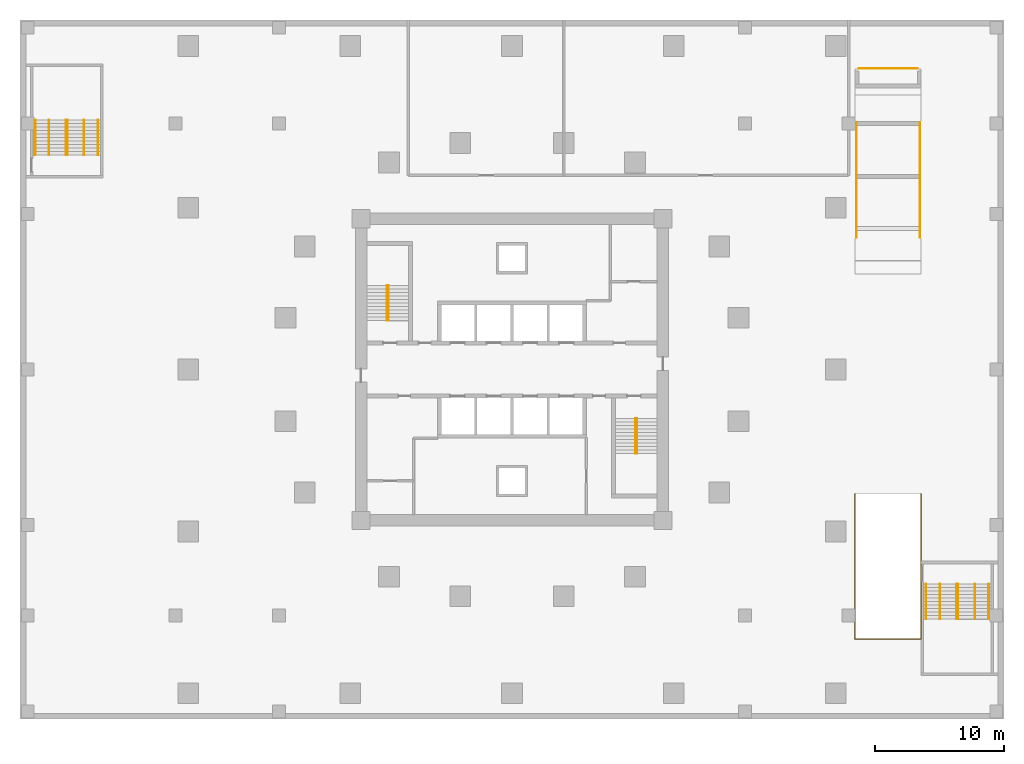
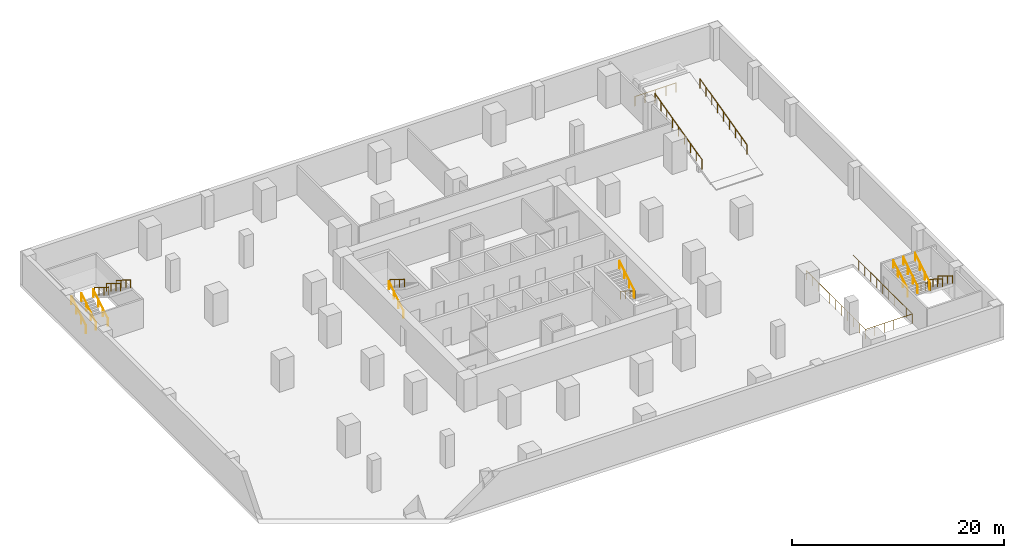
# One storey, part 9 of 9: 20 railings, 4 elements without a shape of their own.
"""IFC4 building model written with IfcOpenShell, lengths in metres."""

from ifc_helpers import new_model, si_unit, direction, frame, origin, origin_2d, place, context, subcontext, project, spatial, circle, extrude, material, type_object, element, aggregate, save


model = new_model("IFC4")

# Units and contexts
model_context = context("Model", 3, precision=1e-05, world=origin(), true_north=direction((0.0, 1.0)))
body_context = subcontext(model_context, "Body", "Model", "MODEL_VIEW")
ifc_project = project(units=[si_unit("LENGTHUNIT", "METRE"), si_unit("AREAUNIT", "SQUARE_METRE"), si_unit("VOLUMEUNIT", "CUBIC_METRE"), si_unit("PLANEANGLEUNIT", "RADIAN"), si_unit("MASSUNIT", "GRAM", prefix="KILO")], contexts=[model_context])

# Site, building, storey
site_placement = place(None, origin())
site = spatial("IfcSite", under=ifc_project, at=site_placement, CompositionType="ELEMENT")
building_placement = place(site_placement, origin())
building = spatial("IfcBuilding", under=site, at=building_placement, Name="Torsade Residences", CompositionType="ELEMENT")
storey_placement = place(building_placement, frame((0.0, 0.0, -3.699951171875)))
storey = spatial("IfcBuildingStorey", under=building, at=storey_placement, Name="B1", CompositionType="ELEMENT", Elevation=-3.699951171875)

# Railings
ifc_material_1 = material(Name="Galvanised steel guard rail", Category="steel")
railing_type_1 = type_object("IfcRailingType", Name="RAMP OPENING GUARD 1100", PredefinedType="GUARDRAIL", material=ifc_material_1)
railing_1_placement = place(storey_placement, frame((66.5, 20.39990234375, 0.0)))
element("IfcRailing", 1, at=railing_1_placement, inside=storey, type_object=railing_type_1, Name="Ramp opening guard R1 B1", PredefinedType="GUARDRAIL", context=body_context, shape_type="SweptSolid", body=[
    extrude(circle(Radius=0.02392578125, at=origin_2d()), frame((0.0, 0.0, 1.076171875), z_axis=(0.0, -1.0, 0.0), x_axis=(1.0, 0.0, 0.0)), (0.0, 0.0, 1.0), 11.199951171875),
    extrude(circle(Radius=0.02392578125, at=origin_2d()), frame((0.0, -11.199951171875, 1.076171875), z_axis=(1.0, 0.0, 0.0), x_axis=(0.0, 1.0, 0.0)), (0.0, 0.0, 1.0), 5.10009765625),
    extrude(circle(Radius=0.02392578125, at=origin_2d()), frame((5.10009765625, -11.199951171875, 1.076171875), z_axis=(0.0, 1.0, 0.0), x_axis=(-1.0, 0.0, 0.0)), (0.0, 0.0, 1.0), 11.199951171875),
    extrude(circle(Radius=0.02099609375, at=origin_2d()), origin(), (0.0, 0.0, 1.0), 1.052001953125),
    extrude(circle(Radius=0.02099609375, at=origin_2d()), frame((0.0, -1.1201171875, 0.0)), (0.0, 0.0, 1.0), 1.052001953125),
    extrude(circle(Radius=0.02099609375, at=origin_2d()), frame((0.0, -2.239990234375, 0.0)), (0.0, 0.0, 1.0), 1.052001953125),
    extrude(circle(Radius=0.02099609375, at=origin_2d()), frame((0.0, -3.35986328125, 0.0)), (0.0, 0.0, 1.0), 1.052001953125),
    extrude(circle(Radius=0.02099609375, at=origin_2d()), frame((0.0, -4.47998046875, 0.0)), (0.0, 0.0, 1.0), 1.052001953125),
    extrude(circle(Radius=0.02099609375, at=origin_2d()), frame((0.0, -5.60009765625, 0.0)), (0.0, 0.0, 1.0), 1.052001953125),
    extrude(circle(Radius=0.02099609375, at=origin_2d()), frame((0.0, -6.719970703125, 0.0)), (0.0, 0.0, 1.0), 1.052001953125),
    extrude(circle(Radius=0.02099609375, at=origin_2d()), frame((0.0, -7.83984375, 0.0)), (0.0, 0.0, 1.0), 1.052001953125),
    extrude(circle(Radius=0.02099609375, at=origin_2d()), frame((0.0, -8.9599609375, 0.0)), (0.0, 0.0, 1.0), 1.052001953125),
    extrude(circle(Radius=0.02099609375, at=origin_2d()), frame((0.0, -10.080078125, 0.0)), (0.0, 0.0, 1.0), 1.052001953125),
    extrude(circle(Radius=0.02099609375, at=origin_2d()), frame((0.0, -11.199951171875, 0.0)), (0.0, 0.0, 1.0), 1.052001953125),
    extrude(circle(Radius=0.02099609375, at=origin_2d()), frame((1.02001953125, -11.199951171875, 0.0)), (0.0, 0.0, 1.0), 1.052001953125),
    extrude(circle(Radius=0.02099609375, at=origin_2d()), frame((2.0400390625, -11.199951171875, 0.0)), (0.0, 0.0, 1.0), 1.052001953125),
    extrude(circle(Radius=0.02099609375, at=origin_2d()), frame((3.06005859375, -11.199951171875, 0.0)), (0.0, 0.0, 1.0), 1.052001953125),
    extrude(circle(Radius=0.02099609375, at=origin_2d()), frame((4.080078125, -11.199951171875, 0.0)), (0.0, 0.0, 1.0), 1.052001953125),
    extrude(circle(Radius=0.02099609375, at=origin_2d()), frame((5.10009765625, -11.199951171875, 0.0)), (0.0, 0.0, 1.0), 1.052001953125),
    extrude(circle(Radius=0.02099609375, at=origin_2d()), frame((5.10009765625, -10.080078125, 0.0)), (0.0, 0.0, 1.0), 1.052001953125),
    extrude(circle(Radius=0.02099609375, at=origin_2d()), frame((5.10009765625, -8.9599609375, 0.0)), (0.0, 0.0, 1.0), 1.052001953125),
    extrude(circle(Radius=0.02099609375, at=origin_2d()), frame((5.10009765625, -7.83984375, 0.0)), (0.0, 0.0, 1.0), 1.052001953125),
    extrude(circle(Radius=0.02099609375, at=origin_2d()), frame((5.10009765625, -6.719970703125, 0.0)), (0.0, 0.0, 1.0), 1.052001953125),
    extrude(circle(Radius=0.02099609375, at=origin_2d()), frame((5.10009765625, -5.60009765625, 0.0)), (0.0, 0.0, 1.0), 1.052001953125),
    extrude(circle(Radius=0.02099609375, at=origin_2d()), frame((5.10009765625, -4.47998046875, 0.0)), (0.0, 0.0, 1.0), 1.052001953125),
    extrude(circle(Radius=0.02099609375, at=origin_2d()), frame((5.10009765625, -3.360107421875, 0.0)), (0.0, 0.0, 1.0), 1.052001953125),
    extrude(circle(Radius=0.02099609375, at=origin_2d()), frame((5.10009765625, -2.239990234375, 0.0)), (0.0, 0.0, 1.0), 1.052001953125),
    extrude(circle(Radius=0.02099609375, at=origin_2d()), frame((5.10009765625, -1.1201171875, 0.0)), (0.0, 0.0, 1.0), 1.052001953125),
    extrude(circle(Radius=0.02099609375, at=origin_2d()), frame((5.10009765625, 0.0, 0.0)), (0.0, 0.0, 1.0), 1.052001953125),
])
for number, where, name in (
    (2, (66.60009765625, 40.199951171875, 0.699951171875), "Ramp edge guard R2 west"),
    (3, (71.5, 40.199951171875, 0.699951171875), "Ramp edge guard R2 east"),
):
    element("IfcRailing", number, at=place(storey_placement, frame(where)), inside=storey, type_object=railing_type_1, Name=name, PredefinedType="GUARDRAIL", context=body_context, shape_type="SweptSolid", body=[
        extrude(circle(Radius=0.02392578125, at=origin_2d()), frame((0.0, 0.0, 1.076171875), z_axis=(0.0, 0.970140934713, 0.242541886681), x_axis=(-1.0, 0.0, 0.0)), (0.0, 0.0, 1.0), 9.174072265625),
        extrude(circle(Radius=0.02099609375, at=origin_2d()), origin(), (0.0, 0.0, 1.0), 1.052001953125),
        extrude(circle(Radius=0.02099609375, at=origin_2d()), frame((0.0, 1.112548828125, 0.278076171875)), (0.0, 0.0, 1.0), 1.052001953125),
        extrude(circle(Radius=0.02099609375, at=origin_2d()), frame((0.0, 2.22509765625, 0.55615234375)), (0.0, 0.0, 1.0), 1.052001953125),
        extrude(circle(Radius=0.02099609375, at=origin_2d()), frame((0.0, 3.337646484375, 0.83447265625)), (0.0, 0.0, 1.0), 1.052001953125),
        extrude(circle(Radius=0.02099609375, at=origin_2d()), frame((0.0, 4.4501953125, 1.112548828125)), (0.0, 0.0, 1.0), 1.052001953125),
        extrude(circle(Radius=0.02099609375, at=origin_2d()), frame((0.0, 5.5625, 1.390625)), (0.0, 0.0, 1.0), 1.052001953125),
        extrude(circle(Radius=0.02099609375, at=origin_2d()), frame((0.0, 6.675048828125, 1.6689453125)), (0.0, 0.0, 1.0), 1.052001953125),
        extrude(circle(Radius=0.02099609375, at=origin_2d()), frame((0.0, 7.78759765625, 1.947021484375)), (0.0, 0.0, 1.0), 1.052001953125),
        extrude(circle(Radius=0.02099609375, at=origin_2d()), frame((0.0, 8.900146484375, 2.22509765625)), (0.0, 0.0, 1.0), 1.052001953125),
    ])
railing_2_placement = place(storey_placement, frame((66.800048828125, 53.25, 0.0)))
element("IfcRailing", 4, at=railing_2_placement, inside=storey, type_object=railing_type_1, Name="Ramp pit guard R2 B1", PredefinedType="GUARDRAIL", context=body_context, shape_type="SweptSolid", body=[
    extrude(circle(Radius=0.02392578125, at=origin_2d()), frame((0.0, 0.0, 1.076171875), z_axis=(1.0, 0.0, 0.0), x_axis=(0.0, 1.0, 0.0)), (0.0, 0.0, 1.0), 4.5),
    extrude(circle(Radius=0.02099609375, at=origin_2d()), origin(), (0.0, 0.0, 1.0), 1.052001953125),
    extrude(circle(Radius=0.02099609375, at=origin_2d()), frame((1.125, 0.0, 0.0)), (0.0, 0.0, 1.0), 1.052001953125),
    extrude(circle(Radius=0.02099609375, at=origin_2d()), frame((2.25, 0.0, 0.0)), (0.0, 0.0, 1.0), 1.052001953125),
    extrude(circle(Radius=0.02099609375, at=origin_2d()), frame((3.375, 0.0, 0.0)), (0.0, 0.0, 1.0), 1.052001953125),
    extrude(circle(Radius=0.02099609375, at=origin_2d()), frame((4.5, 0.0, 0.0)), (0.0, 0.0, 1.0), 1.052001953125),
])

# Stair, railings
ifc_material_2 = material(Name="Precast concrete 40 MPa", Category="concrete")
stair_type_1 = type_object("IfcStairType", Name="HALF-TURN FIRE STAIR 1500x3700", PredefinedType="HALF_TURN_STAIR", material=ifc_material_2)
stair_1_placement = place(storey_placement, origin())
stair_1 = element("IfcStair", 5, at=stair_1_placement, inside=storey, type_object=stair_type_1, Name="Stair ST1 B1", PredefinedType="HALF_TURN_STAIR")
ifc_material_3 = material(Name="Steel handrail", Category="steel")
railing_type_2 = type_object("IfcRailingType", Name="STAIR HANDRAIL 900", PredefinedType="HANDRAIL", material=ifc_material_3)
railing_3_placement = place(storey_placement, frame((30.35009765625, 33.780029296875, 0.168212890625)))
railing_3 = element("IfcRailing", 6, at=railing_3_placement, type_object=railing_type_2, Name="Handrail ST1 flight 1 B1", PredefinedType="HANDRAIL", context=body_context, shape_type="SweptSolid", body=[
    extrude(circle(Radius=0.02392578125, at=origin_2d()), frame((0.0, 0.0, 0.8759765625), z_axis=(0.0, 0.84882087487, 0.528680548522), x_axis=(-1.0, 0.0, 0.0)), (0.0, 0.0, 1.0), 3.180908203125),
    extrude(circle(Radius=0.02099609375, at=origin_2d()), origin(), (0.0, 0.0, 1.0), 0.851806640625),
    extrude(circle(Radius=0.02099609375, at=origin_2d()), frame((0.0, 0.89990234375, 0.560546875)), (0.0, 0.0, 1.0), 0.851806640625),
    extrude(circle(Radius=0.02099609375, at=origin_2d()), frame((0.0, 1.800048828125, 1.12109375)), (0.0, 0.0, 1.0), 0.851806640625),
    extrude(circle(Radius=0.02099609375, at=origin_2d()), frame((0.0, 2.699951171875, 1.681640625)), (0.0, 0.0, 1.0), 0.851806640625),
])
railing_4_placement = place(storey_placement, frame((30.449951171875, 36.47998046875, 2.01806640625)))
railing_4 = element("IfcRailing", 7, at=railing_4_placement, type_object=railing_type_2, Name="Handrail ST1 flight 2 B1", PredefinedType="HANDRAIL", context=body_context, shape_type="SweptSolid", body=[
    extrude(circle(Radius=0.02392578125, at=origin_2d()), frame((0.0, 0.0, 0.8759765625), z_axis=(0.0, -0.848786430784, 0.528735846068), x_axis=(1.0, 0.0, 0.0)), (0.0, 0.0, 1.0), 3.180908203125),
    extrude(circle(Radius=0.02099609375, at=origin_2d()), origin(), (0.0, 0.0, 1.0), 0.851806640625),
    extrude(circle(Radius=0.02099609375, at=origin_2d()), frame((0.0, -0.89990234375, 0.560546875)), (0.0, 0.0, 1.0), 0.851806640625),
    extrude(circle(Radius=0.02099609375, at=origin_2d()), frame((0.0, -1.800048828125, 1.121337890625)), (0.0, 0.0, 1.0), 0.851806640625),
    extrude(circle(Radius=0.02099609375, at=origin_2d()), frame((0.0, -2.699951171875, 1.681884765625)), (0.0, 0.0, 1.0), 0.851806640625),
])
aggregate(stair_1, [railing_3, railing_4])

stair_2_placement = place(storey_placement, origin())
stair_2 = element("IfcStair", 8, at=stair_2_placement, inside=storey, type_object=stair_type_1, Name="Stair ST2 B1", PredefinedType="HALF_TURN_STAIR")
railing_5_placement = place(storey_placement, frame((49.64990234375, 26.219970703125, 0.168212890625)))
railing_5 = element("IfcRailing", 9, at=railing_5_placement, type_object=railing_type_2, Name="Handrail ST2 flight 1 B1", PredefinedType="HANDRAIL", context=body_context, shape_type="SweptSolid", body=[
    extrude(circle(Radius=0.02392578125, at=origin_2d()), frame((0.0, 0.0, 0.8759765625), z_axis=(0.0, -0.84882087487, 0.528680548522), x_axis=(1.0, 0.0, 0.0)), (0.0, 0.0, 1.0), 3.180908203125),
    extrude(circle(Radius=0.02099609375, at=origin_2d()), origin(), (0.0, 0.0, 1.0), 0.851806640625),
    extrude(circle(Radius=0.02099609375, at=origin_2d()), frame((0.0, -0.89990234375, 0.560546875)), (0.0, 0.0, 1.0), 0.851806640625),
    extrude(circle(Radius=0.02099609375, at=origin_2d()), frame((0.0, -1.800048828125, 1.12109375)), (0.0, 0.0, 1.0), 0.851806640625),
    extrude(circle(Radius=0.02099609375, at=origin_2d()), frame((0.0, -2.699951171875, 1.681640625)), (0.0, 0.0, 1.0), 0.851806640625),
])
railing_6_placement = place(storey_placement, frame((49.550048828125, 23.52001953125, 2.01806640625)))
railing_6 = element("IfcRailing", 10, at=railing_6_placement, type_object=railing_type_2, Name="Handrail ST2 flight 2 B1", PredefinedType="HANDRAIL", context=body_context, shape_type="SweptSolid", body=[
    extrude(circle(Radius=0.02392578125, at=origin_2d()), frame((0.0, 0.0, 0.8759765625), z_axis=(0.0, 0.848786430784, 0.528735846068), x_axis=(-1.0, 0.0, 0.0)), (0.0, 0.0, 1.0), 3.180908203125),
    extrude(circle(Radius=0.02099609375, at=origin_2d()), origin(), (0.0, 0.0, 1.0), 0.851806640625),
    extrude(circle(Radius=0.02099609375, at=origin_2d()), frame((0.0, 0.89990234375, 0.560546875)), (0.0, 0.0, 1.0), 0.851806640625),
    extrude(circle(Radius=0.02099609375, at=origin_2d()), frame((0.0, 1.800048828125, 1.121337890625)), (0.0, 0.0, 1.0), 0.851806640625),
    extrude(circle(Radius=0.02099609375, at=origin_2d()), frame((0.0, 2.699951171875, 1.681884765625)), (0.0, 0.0, 1.0), 0.851806640625),
])
aggregate(stair_2, [railing_5, railing_6])

ifc_material_4 = material(Name="Concrete 40 MPa", Category="concrete")
stair_type_2 = type_object("IfcStairType", Name="HALF-TURN PODIUM STAIR 2500x3700", PredefinedType="HALF_TURN_STAIR", material=ifc_material_4)
stair_3_placement = place(storey_placement, origin())
stair_3 = element("IfcStair", 11, at=stair_3_placement, inside=storey, type_object=stair_type_2, Name="Stair ST3 B1", PredefinedType="HALF_TURN_STAIR")
railing_7_placement = place(storey_placement, frame((5.550048828125, 46.580078125, 0.168212890625)))
railing_7 = element("IfcRailing", 12, at=railing_7_placement, type_object=railing_type_2, Name="Handrail ST3 flight 1 B1", PredefinedType="HANDRAIL", context=body_context, shape_type="SweptSolid", body=[
    extrude(circle(Radius=0.02392578125, at=origin_2d()), frame((0.0, 0.0, 0.8759765625), z_axis=(0.0, 0.84882087487, 0.528680548522), x_axis=(-1.0, 0.0, 0.0)), (0.0, 0.0, 1.0), 3.180908203125),
    extrude(circle(Radius=0.02099609375, at=origin_2d()), origin(), (0.0, 0.0, 1.0), 0.851806640625),
    extrude(circle(Radius=0.02099609375, at=origin_2d()), frame((0.0, 0.89990234375, 0.560546875)), (0.0, 0.0, 1.0), 0.851806640625),
    extrude(circle(Radius=0.02099609375, at=origin_2d()), frame((0.0, 1.800048828125, 1.12109375)), (0.0, 0.0, 1.0), 0.851806640625),
    extrude(circle(Radius=0.02099609375, at=origin_2d()), frame((0.0, 2.699951171875, 1.681640625)), (0.0, 0.0, 1.0), 0.851806640625),
])
railing_8_placement = place(storey_placement, frame((3.175048828125, 46.580078125, 0.168212890625)))
railing_8 = element("IfcRailing", 13, at=railing_8_placement, type_object=railing_type_2, Name="Handrail ST3 flight 1 wall side B1", PredefinedType="HANDRAIL", context=body_context, shape_type="SweptSolid", body=[
    extrude(circle(Radius=0.02392578125, at=origin_2d()), frame((0.0, 0.0, 0.8759765625), z_axis=(0.0, 0.84882087487, 0.528680548522), x_axis=(-1.0, 0.0, 0.0)), (0.0, 0.0, 1.0), 3.180908203125),
    extrude(circle(Radius=0.02099609375, at=origin_2d()), origin(), (0.0, 0.0, 1.0), 0.851806640625),
    extrude(circle(Radius=0.02099609375, at=origin_2d()), frame((0.0, 0.89990234375, 0.560546875)), (0.0, 0.0, 1.0), 0.851806640625),
    extrude(circle(Radius=0.02099609375, at=origin_2d()), frame((0.0, 1.800048828125, 1.12109375)), (0.0, 0.0, 1.0), 0.851806640625),
    extrude(circle(Radius=0.02099609375, at=origin_2d()), frame((0.0, 2.699951171875, 1.681640625)), (0.0, 0.0, 1.0), 0.851806640625),
])
railing_9_placement = place(storey_placement, frame((4.25, 46.580078125, 0.168212890625)))
railing_9 = element("IfcRailing", 14, at=railing_9_placement, type_object=railing_type_2, Name="Handrail ST3 flight 1 intermediate B1", PredefinedType="HANDRAIL", context=body_context, shape_type="SweptSolid", body=[
    extrude(circle(Radius=0.02392578125, at=origin_2d()), frame((0.0, 0.0, 0.8759765625), z_axis=(0.0, 0.84882087487, 0.528680548522), x_axis=(-1.0, 0.0, 0.0)), (0.0, 0.0, 1.0), 3.180908203125),
    extrude(circle(Radius=0.02099609375, at=origin_2d()), origin(), (0.0, 0.0, 1.0), 0.851806640625),
    extrude(circle(Radius=0.02099609375, at=origin_2d()), frame((0.0, 0.89990234375, 0.560546875)), (0.0, 0.0, 1.0), 0.851806640625),
    extrude(circle(Radius=0.02099609375, at=origin_2d()), frame((0.0, 1.800048828125, 1.12109375)), (0.0, 0.0, 1.0), 0.851806640625),
    extrude(circle(Radius=0.02099609375, at=origin_2d()), frame((0.0, 2.699951171875, 1.681640625)), (0.0, 0.0, 1.0), 0.851806640625),
])
railing_10_placement = place(storey_placement, frame((5.64990234375, 49.280029296875, 2.01806640625)))
railing_10 = element("IfcRailing", 15, at=railing_10_placement, type_object=railing_type_2, Name="Handrail ST3 flight 2 B1", PredefinedType="HANDRAIL", context=body_context, shape_type="SweptSolid", body=[
    extrude(circle(Radius=0.02392578125, at=origin_2d()), frame((0.0, 0.0, 0.8759765625), z_axis=(0.0, -0.848786430784, 0.528735846068), x_axis=(1.0, 0.0, 0.0)), (0.0, 0.0, 1.0), 3.180908203125),
    extrude(circle(Radius=0.02099609375, at=origin_2d()), origin(), (0.0, 0.0, 1.0), 0.851806640625),
    extrude(circle(Radius=0.02099609375, at=origin_2d()), frame((0.0, -0.89990234375, 0.560546875)), (0.0, 0.0, 1.0), 0.851806640625),
    extrude(circle(Radius=0.02099609375, at=origin_2d()), frame((0.0, -1.800048828125, 1.121337890625)), (0.0, 0.0, 1.0), 0.851806640625),
    extrude(circle(Radius=0.02099609375, at=origin_2d()), frame((0.0, -2.699951171875, 1.681884765625)), (0.0, 0.0, 1.0), 0.851806640625),
])
railing_11_placement = place(storey_placement, frame((8.02490234375, 49.280029296875, 2.01806640625)))
railing_11 = element("IfcRailing", 16, at=railing_11_placement, type_object=railing_type_2, Name="Handrail ST3 flight 2 wall side B1", PredefinedType="HANDRAIL", context=body_context, shape_type="SweptSolid", body=[
    extrude(circle(Radius=0.02392578125, at=origin_2d()), frame((0.0, 0.0, 0.8759765625), z_axis=(0.0, -0.848786430784, 0.528735846068), x_axis=(1.0, 0.0, 0.0)), (0.0, 0.0, 1.0), 3.180908203125),
    extrude(circle(Radius=0.02099609375, at=origin_2d()), origin(), (0.0, 0.0, 1.0), 0.851806640625),
    extrude(circle(Radius=0.02099609375, at=origin_2d()), frame((0.0, -0.89990234375, 0.560546875)), (0.0, 0.0, 1.0), 0.851806640625),
    extrude(circle(Radius=0.02099609375, at=origin_2d()), frame((0.0, -1.800048828125, 1.121337890625)), (0.0, 0.0, 1.0), 0.851806640625),
    extrude(circle(Radius=0.02099609375, at=origin_2d()), frame((0.0, -2.699951171875, 1.681884765625)), (0.0, 0.0, 1.0), 0.851806640625),
])
railing_12_placement = place(storey_placement, frame((6.949951171875, 49.280029296875, 2.01806640625)))
railing_12 = element("IfcRailing", 17, at=railing_12_placement, type_object=railing_type_2, Name="Handrail ST3 flight 2 intermediate B1", PredefinedType="HANDRAIL", context=body_context, shape_type="SweptSolid", body=[
    extrude(circle(Radius=0.02392578125, at=origin_2d()), frame((0.0, 0.0, 0.8759765625), z_axis=(0.0, -0.848786430784, 0.528735846068), x_axis=(1.0, 0.0, 0.0)), (0.0, 0.0, 1.0), 3.180908203125),
    extrude(circle(Radius=0.02099609375, at=origin_2d()), origin(), (0.0, 0.0, 1.0), 0.851806640625),
    extrude(circle(Radius=0.02099609375, at=origin_2d()), frame((0.0, -0.89990234375, 0.560546875)), (0.0, 0.0, 1.0), 0.851806640625),
    extrude(circle(Radius=0.02099609375, at=origin_2d()), frame((0.0, -1.800048828125, 1.121337890625)), (0.0, 0.0, 1.0), 0.851806640625),
    extrude(circle(Radius=0.02099609375, at=origin_2d()), frame((0.0, -2.699951171875, 1.681884765625)), (0.0, 0.0, 1.0), 0.851806640625),
])
aggregate(stair_3, [railing_7, railing_8, railing_9, railing_10, railing_11, railing_12])

stair_4_placement = place(storey_placement, origin())
stair_4 = element("IfcStair", 18, at=stair_4_placement, inside=storey, type_object=stair_type_2, Name="Stair ST4 B1", PredefinedType="HALF_TURN_STAIR")
railing_13_placement = place(storey_placement, frame((74.449951171875, 13.419921875, 0.168212890625)))
railing_13 = element("IfcRailing", 19, at=railing_13_placement, type_object=railing_type_2, Name="Handrail ST4 flight 1 B1", PredefinedType="HANDRAIL", context=body_context, shape_type="SweptSolid", body=[
    extrude(circle(Radius=0.02392578125, at=origin_2d()), frame((0.0, 0.0, 0.8759765625), z_axis=(0.0, -0.84882087487, 0.528680548522), x_axis=(1.0, 0.0, 0.0)), (0.0, 0.0, 1.0), 3.180908203125),
    extrude(circle(Radius=0.02099609375, at=origin_2d()), origin(), (0.0, 0.0, 1.0), 0.851806640625),
    extrude(circle(Radius=0.02099609375, at=origin_2d()), frame((0.0, -0.89990234375, 0.560546875)), (0.0, 0.0, 1.0), 0.851806640625),
    extrude(circle(Radius=0.02099609375, at=origin_2d()), frame((0.0, -1.800048828125, 1.12109375)), (0.0, 0.0, 1.0), 0.851806640625),
    extrude(circle(Radius=0.02099609375, at=origin_2d()), frame((0.0, -2.699951171875, 1.681640625)), (0.0, 0.0, 1.0), 0.851806640625),
])
railing_14_placement = place(storey_placement, frame((76.824951171875, 13.419921875, 0.168212890625)))
railing_14 = element("IfcRailing", 20, at=railing_14_placement, type_object=railing_type_2, Name="Handrail ST4 flight 1 wall side B1", PredefinedType="HANDRAIL", context=body_context, shape_type="SweptSolid", body=[
    extrude(circle(Radius=0.02392578125, at=origin_2d()), frame((0.0, 0.0, 0.8759765625), z_axis=(0.0, -0.84882087487, 0.528680548522), x_axis=(1.0, 0.0, 0.0)), (0.0, 0.0, 1.0), 3.180908203125),
    extrude(circle(Radius=0.02099609375, at=origin_2d()), origin(), (0.0, 0.0, 1.0), 0.851806640625),
    extrude(circle(Radius=0.02099609375, at=origin_2d()), frame((0.0, -0.89990234375, 0.560546875)), (0.0, 0.0, 1.0), 0.851806640625),
    extrude(circle(Radius=0.02099609375, at=origin_2d()), frame((0.0, -1.800048828125, 1.12109375)), (0.0, 0.0, 1.0), 0.851806640625),
    extrude(circle(Radius=0.02099609375, at=origin_2d()), frame((0.0, -2.699951171875, 1.681640625)), (0.0, 0.0, 1.0), 0.851806640625),
])
railing_15_placement = place(storey_placement, frame((75.75, 13.419921875, 0.168212890625)))
railing_15 = element("IfcRailing", 21, at=railing_15_placement, type_object=railing_type_2, Name="Handrail ST4 flight 1 intermediate B1", PredefinedType="HANDRAIL", context=body_context, shape_type="SweptSolid", body=[
    extrude(circle(Radius=0.02392578125, at=origin_2d()), frame((0.0, 0.0, 0.8759765625), z_axis=(0.0, -0.84882087487, 0.528680548522), x_axis=(1.0, 0.0, 0.0)), (0.0, 0.0, 1.0), 3.180908203125),
    extrude(circle(Radius=0.02099609375, at=origin_2d()), origin(), (0.0, 0.0, 1.0), 0.851806640625),
    extrude(circle(Radius=0.02099609375, at=origin_2d()), frame((0.0, -0.89990234375, 0.560546875)), (0.0, 0.0, 1.0), 0.851806640625),
    extrude(circle(Radius=0.02099609375, at=origin_2d()), frame((0.0, -1.800048828125, 1.12109375)), (0.0, 0.0, 1.0), 0.851806640625),
    extrude(circle(Radius=0.02099609375, at=origin_2d()), frame((0.0, -2.699951171875, 1.681640625)), (0.0, 0.0, 1.0), 0.851806640625),
])
railing_16_placement = place(storey_placement, frame((74.35009765625, 10.719970703125, 2.01806640625)))
railing_16 = element("IfcRailing", 22, at=railing_16_placement, type_object=railing_type_2, Name="Handrail ST4 flight 2 B1", PredefinedType="HANDRAIL", context=body_context, shape_type="SweptSolid", body=[
    extrude(circle(Radius=0.02392578125, at=origin_2d()), frame((0.0, 0.0, 0.8759765625), z_axis=(0.0, 0.848786430784, 0.528735846068), x_axis=(-1.0, 0.0, 0.0)), (0.0, 0.0, 1.0), 3.180908203125),
    extrude(circle(Radius=0.02099609375, at=origin_2d()), origin(), (0.0, 0.0, 1.0), 0.851806640625),
    extrude(circle(Radius=0.02099609375, at=origin_2d()), frame((0.0, 0.89990234375, 0.560546875)), (0.0, 0.0, 1.0), 0.851806640625),
    extrude(circle(Radius=0.02099609375, at=origin_2d()), frame((0.0, 1.800048828125, 1.121337890625)), (0.0, 0.0, 1.0), 0.851806640625),
    extrude(circle(Radius=0.02099609375, at=origin_2d()), frame((0.0, 2.699951171875, 1.681884765625)), (0.0, 0.0, 1.0), 0.851806640625),
])
railing_17_placement = place(storey_placement, frame((71.97509765625, 10.719970703125, 2.01806640625)))
railing_17 = element("IfcRailing", 23, at=railing_17_placement, type_object=railing_type_2, Name="Handrail ST4 flight 2 wall side B1", PredefinedType="HANDRAIL", context=body_context, shape_type="SweptSolid", body=[
    extrude(circle(Radius=0.02392578125, at=origin_2d()), frame((0.0, 0.0, 0.8759765625), z_axis=(0.0, 0.848786430784, 0.528735846068), x_axis=(-1.0, 0.0, 0.0)), (0.0, 0.0, 1.0), 3.180908203125),
    extrude(circle(Radius=0.02099609375, at=origin_2d()), origin(), (0.0, 0.0, 1.0), 0.851806640625),
    extrude(circle(Radius=0.02099609375, at=origin_2d()), frame((0.0, 0.89990234375, 0.560546875)), (0.0, 0.0, 1.0), 0.851806640625),
    extrude(circle(Radius=0.02099609375, at=origin_2d()), frame((0.0, 1.800048828125, 1.121337890625)), (0.0, 0.0, 1.0), 0.851806640625),
    extrude(circle(Radius=0.02099609375, at=origin_2d()), frame((0.0, 2.699951171875, 1.681884765625)), (0.0, 0.0, 1.0), 0.851806640625),
])
railing_18_placement = place(storey_placement, frame((73.050048828125, 10.719970703125, 2.01806640625)))
railing_18 = element("IfcRailing", 24, at=railing_18_placement, type_object=railing_type_2, Name="Handrail ST4 flight 2 intermediate B1", PredefinedType="HANDRAIL", context=body_context, shape_type="SweptSolid", body=[
    extrude(circle(Radius=0.02392578125, at=origin_2d()), frame((0.0, 0.0, 0.8759765625), z_axis=(0.0, 0.848786430784, 0.528735846068), x_axis=(-1.0, 0.0, 0.0)), (0.0, 0.0, 1.0), 3.180908203125),
    extrude(circle(Radius=0.02099609375, at=origin_2d()), origin(), (0.0, 0.0, 1.0), 0.851806640625),
    extrude(circle(Radius=0.02099609375, at=origin_2d()), frame((0.0, 0.89990234375, 0.560546875)), (0.0, 0.0, 1.0), 0.851806640625),
    extrude(circle(Radius=0.02099609375, at=origin_2d()), frame((0.0, 1.800048828125, 1.121337890625)), (0.0, 0.0, 1.0), 0.851806640625),
    extrude(circle(Radius=0.02099609375, at=origin_2d()), frame((0.0, 2.699951171875, 1.681884765625)), (0.0, 0.0, 1.0), 0.851806640625),
])
aggregate(stair_4, [railing_13, railing_14, railing_15, railing_16, railing_17, railing_18])

save(model, "model.ifc")
